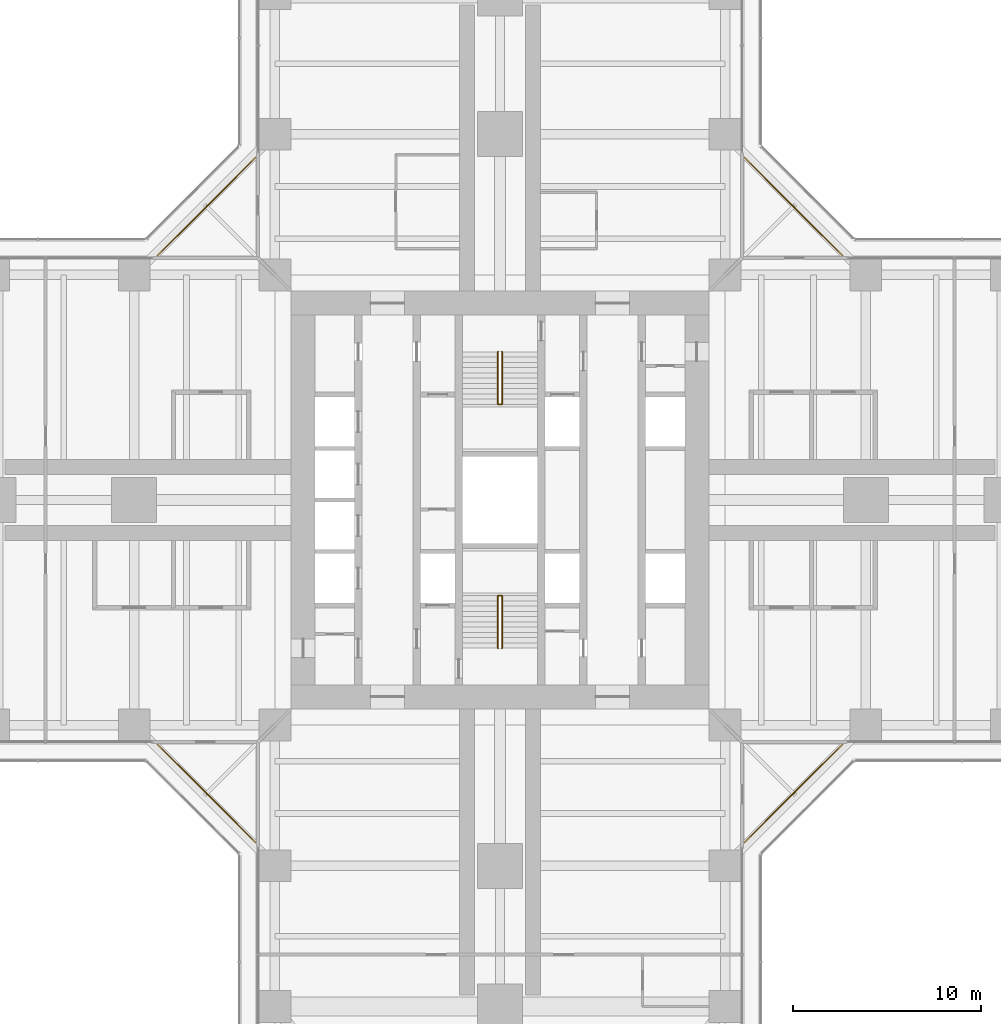
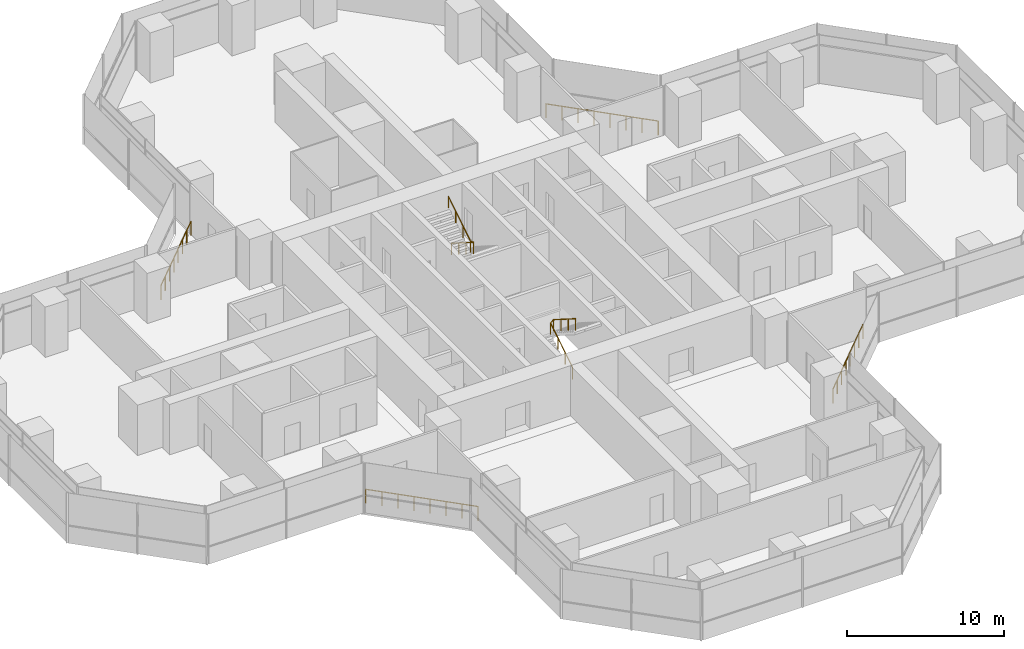
# One storey, part 22 of 22: 6 railings.
"""IFC4 building model written with IfcOpenShell, lengths in metres."""

from ifc_helpers import new_model, si_unit, direction, frame, origin, origin_2d, place, context, subcontext, project, spatial, circle, extrude, material, type_object, element, save


model = new_model("IFC4")

# Units and contexts
model_context = context("Model", 3, precision=1e-05, world=origin(), true_north=direction((0.0, 1.0)))
body_context = subcontext(model_context, "Body", "Model", "MODEL_VIEW")
ifc_project = project(units=[si_unit("LENGTHUNIT", "METRE"), si_unit("AREAUNIT", "SQUARE_METRE"), si_unit("VOLUMEUNIT", "CUBIC_METRE"), si_unit("PLANEANGLEUNIT", "RADIAN"), si_unit("MASSUNIT", "GRAM", prefix="KILO")], contexts=[model_context])

# Site, building, storey
site_placement = place(None, origin())
site = spatial("IfcSite", under=ifc_project, at=site_placement, CompositionType="ELEMENT")
building_placement = place(site_placement, origin())
building = spatial("IfcBuilding", under=site, at=building_placement, Name="Mizan Broadcast Tower", CompositionType="ELEMENT")
storey_placement = place(building_placement, frame((0.0, 0.0, 59.10009765625)))
storey = spatial("IfcBuildingStorey", under=building, at=storey_placement, Name="L11", CompositionType="ELEMENT", Elevation=59.10009765625)

# Railings
ifc_material_1 = material(Name="Stainless steel and glass guard", Category="steel")
railing_type_1 = type_object("IfcRailingType", Name="GUARD 1100", PredefinedType="GUARDRAIL", material=ifc_material_1)
railing_1_placement = place(storey_placement, frame((18.2578125, 13.030029296875, 0.0)))
element("IfcRailing", 1, at=railing_1_placement, inside=storey, type_object=railing_type_1, Name="Winter garden guard L11 E", PredefinedType="GUARDRAIL", context=body_context, shape_type="SweptSolid", body=[
    extrude(circle(Radius=0.02392578125, at=origin_2d()), frame((0.0, 0.0, 1.076171875), z_axis=(-0.707106781187, 0.707106781187, 0.0), x_axis=(-0.707106781187, -0.707106781187, 0.0)), (0.0, 0.0, 1.0), 7.393310546875),
    extrude(circle(Radius=0.02099609375, at=origin_2d()), origin(), (0.0, 0.0, 1.0), 1.052001953125),
    extrude(circle(Radius=0.02099609375, at=origin_2d()), frame((-0.746826171875, 0.746826171875, 0.0)), (0.0, 0.0, 1.0), 1.052001953125),
    extrude(circle(Radius=0.02099609375, at=origin_2d()), frame((-1.49365234375, 1.49365234375, 0.0)), (0.0, 0.0, 1.0), 1.052001953125),
    extrude(circle(Radius=0.02099609375, at=origin_2d()), frame((-2.240478515625, 2.240478515625, 0.0)), (0.0, 0.0, 1.0), 1.052001953125),
    extrude(circle(Radius=0.02099609375, at=origin_2d()), frame((-2.9873046875, 2.9873046875, 0.0)), (0.0, 0.0, 1.0), 1.052001953125),
    extrude(circle(Radius=0.02099609375, at=origin_2d()), frame((-3.734130859375, 3.734130859375, 0.0)), (0.0, 0.0, 1.0), 1.052001953125),
    extrude(circle(Radius=0.02099609375, at=origin_2d()), frame((-4.48095703125, 4.48095703125, 0.0)), (0.0, 0.0, 1.0), 1.052001953125),
    extrude(circle(Radius=0.02099609375, at=origin_2d()), frame((-5.227783203125, 5.227783203125, 0.0)), (0.0, 0.0, 1.0), 1.052001953125),
])
railing_2_placement = place(storey_placement, frame((-13.030029296875, 18.2578125, 0.0)))
element("IfcRailing", 2, at=railing_2_placement, inside=storey, type_object=railing_type_1, Name="Winter garden guard L11 N", PredefinedType="GUARDRAIL", context=body_context, shape_type="SweptSolid", body=[
    extrude(circle(Radius=0.02392578125, at=origin_2d()), frame((0.0, 0.0, 1.076171875), z_axis=(-0.707106781187, -0.707106781187, 0.0), x_axis=(0.707106781187, -0.707106781187, 0.0)), (0.0, 0.0, 1.0), 7.393310546875),
    extrude(circle(Radius=0.02099609375, at=origin_2d()), origin(), (0.0, 0.0, 1.0), 1.052001953125),
    extrude(circle(Radius=0.02099609375, at=origin_2d()), frame((-0.746826171875, -0.746826171875, 0.0)), (0.0, 0.0, 1.0), 1.052001953125),
    extrude(circle(Radius=0.02099609375, at=origin_2d()), frame((-1.49365234375, -1.49365234375, 0.0)), (0.0, 0.0, 1.0), 1.052001953125),
    extrude(circle(Radius=0.02099609375, at=origin_2d()), frame((-2.240478515625, -2.240478515625, 0.0)), (0.0, 0.0, 1.0), 1.052001953125),
    extrude(circle(Radius=0.02099609375, at=origin_2d()), frame((-2.9873046875, -2.9873046875, 0.0)), (0.0, 0.0, 1.0), 1.052001953125),
    extrude(circle(Radius=0.02099609375, at=origin_2d()), frame((-3.734130859375, -3.734130859375, 0.0)), (0.0, 0.0, 1.0), 1.052001953125),
    extrude(circle(Radius=0.02099609375, at=origin_2d()), frame((-4.48095703125, -4.48095703125, 0.0)), (0.0, 0.0, 1.0), 1.052001953125),
    extrude(circle(Radius=0.02099609375, at=origin_2d()), frame((-5.227783203125, -5.227783203125, 0.0)), (0.0, 0.0, 1.0), 1.052001953125),
])
railing_3_placement = place(storey_placement, frame((-18.2578125, -13.030029296875, 0.0)))
element("IfcRailing", 3, at=railing_3_placement, inside=storey, type_object=railing_type_1, Name="Winter garden guard L11 W", PredefinedType="GUARDRAIL", context=body_context, shape_type="SweptSolid", body=[
    extrude(circle(Radius=0.02392578125, at=origin_2d()), frame((0.0, 0.0, 1.076171875), z_axis=(0.707106781187, -0.707106781187, 0.0), x_axis=(0.707106781187, 0.707106781187, 0.0)), (0.0, 0.0, 1.0), 7.393310546875),
    extrude(circle(Radius=0.02099609375, at=origin_2d()), origin(), (0.0, 0.0, 1.0), 1.052001953125),
    extrude(circle(Radius=0.02099609375, at=origin_2d()), frame((0.746826171875, -0.746826171875, 0.0)), (0.0, 0.0, 1.0), 1.052001953125),
    extrude(circle(Radius=0.02099609375, at=origin_2d()), frame((1.49365234375, -1.49365234375, 0.0)), (0.0, 0.0, 1.0), 1.052001953125),
    extrude(circle(Radius=0.02099609375, at=origin_2d()), frame((2.240478515625, -2.240478515625, 0.0)), (0.0, 0.0, 1.0), 1.052001953125),
    extrude(circle(Radius=0.02099609375, at=origin_2d()), frame((2.9873046875, -2.9873046875, 0.0)), (0.0, 0.0, 1.0), 1.052001953125),
    extrude(circle(Radius=0.02099609375, at=origin_2d()), frame((3.734130859375, -3.734130859375, 0.0)), (0.0, 0.0, 1.0), 1.052001953125),
    extrude(circle(Radius=0.02099609375, at=origin_2d()), frame((4.48095703125, -4.48095703125, 0.0)), (0.0, 0.0, 1.0), 1.052001953125),
    extrude(circle(Radius=0.02099609375, at=origin_2d()), frame((5.227783203125, -5.227783203125, 0.0)), (0.0, 0.0, 1.0), 1.052001953125),
])
railing_4_placement = place(storey_placement, frame((13.030029296875, -18.2578125, 0.0)))
element("IfcRailing", 4, at=railing_4_placement, inside=storey, type_object=railing_type_1, Name="Winter garden guard L11 S", PredefinedType="GUARDRAIL", context=body_context, shape_type="SweptSolid", body=[
    extrude(circle(Radius=0.02392578125, at=origin_2d()), frame((0.0, 0.0, 1.076171875), z_axis=(0.707106781187, 0.707106781187, 0.0), x_axis=(-0.707106781187, 0.707106781187, 0.0)), (0.0, 0.0, 1.0), 7.393310546875),
    extrude(circle(Radius=0.02099609375, at=origin_2d()), origin(), (0.0, 0.0, 1.0), 1.052001953125),
    extrude(circle(Radius=0.02099609375, at=origin_2d()), frame((0.746826171875, 0.746826171875, 0.0)), (0.0, 0.0, 1.0), 1.052001953125),
    extrude(circle(Radius=0.02099609375, at=origin_2d()), frame((1.49365234375, 1.49365234375, 0.0)), (0.0, 0.0, 1.0), 1.052001953125),
    extrude(circle(Radius=0.02099609375, at=origin_2d()), frame((2.240478515625, 2.240478515625, 0.0)), (0.0, 0.0, 1.0), 1.052001953125),
    extrude(circle(Radius=0.02099609375, at=origin_2d()), frame((2.9873046875, 2.9873046875, 0.0)), (0.0, 0.0, 1.0), 1.052001953125),
    extrude(circle(Radius=0.02099609375, at=origin_2d()), frame((3.734130859375, 3.734130859375, 0.0)), (0.0, 0.0, 1.0), 1.052001953125),
    extrude(circle(Radius=0.02099609375, at=origin_2d()), frame((4.48095703125, 4.48095703125, 0.0)), (0.0, 0.0, 1.0), 1.052001953125),
    extrude(circle(Radius=0.02099609375, at=origin_2d()), frame((5.227783203125, 5.227783203125, 0.0)), (0.0, 0.0, 1.0), 1.052001953125),
])
ifc_material_2 = material(Name="Stainless steel", Category="steel")
railing_type_2 = type_object("IfcRailingType", Name="HANDRAIL 50", PredefinedType="HANDRAIL", material=ifc_material_2)
railing_5_placement = place(storey_placement, frame((-0.110107421875, -7.89990234375, 0.17724609375)))
element("IfcRailing", 5, at=railing_5_placement, inside=storey, type_object=railing_type_2, Name="Stair A handrail", PredefinedType="HANDRAIL", context=body_context, shape_type="SweptSolid", body=[
    extrude(circle(Radius=0.02392578125, at=origin_2d()), frame((0.0, 0.0, 0.8759765625), z_axis=(0.0, 0.844887892834, 0.53494340686), x_axis=(-1.0, 0.0, 0.0)), (0.0, 0.0, 1.0), 3.313720703125),
    extrude(circle(Radius=0.02392578125, at=origin_2d()), frame((0.0, 2.7998046875, 2.6484375), z_axis=(0.779011685263, 0.0, 0.627009405212), x_axis=(0.0, 1.0, 0.0)), (0.0, 0.0, 1.0), 0.28271484375),
    extrude(circle(Radius=0.02392578125, at=origin_2d()), frame((0.22021484375, 2.7998046875, 2.82568359375), z_axis=(0.0, -0.844887892834, 0.53494340686), x_axis=(1.0, 0.0, 0.0)), (0.0, 0.0, 1.0), 3.313720703125),
    extrude(circle(Radius=0.02099609375, at=origin_2d()), origin(), (0.0, 0.0, 1.0), 0.851806640625),
    extrude(circle(Radius=0.02099609375, at=origin_2d()), frame((0.0, 0.933349609375, 0.5908203125)), (0.0, 0.0, 1.0), 0.851806640625),
    extrude(circle(Radius=0.02099609375, at=origin_2d()), frame((0.0, 1.866455078125, 1.181884765625)), (0.0, 0.0, 1.0), 0.851806640625),
    extrude(circle(Radius=0.02099609375, at=origin_2d()), frame((0.0, 2.7998046875, 1.772705078125)), (0.0, 0.0, 1.0), 0.851806640625),
    extrude(circle(Radius=0.02099609375, at=origin_2d()), frame((0.22021484375, 2.7998046875, 1.949951171875)), (0.0, 0.0, 1.0), 0.851806640625),
    extrude(circle(Radius=0.02099609375, at=origin_2d()), frame((0.22021484375, 1.866455078125, 2.540771484375)), (0.0, 0.0, 1.0), 0.851806640625),
    extrude(circle(Radius=0.02099609375, at=origin_2d()), frame((0.22021484375, 0.933349609375, 3.1318359375)), (0.0, 0.0, 1.0), 0.851806640625),
    extrude(circle(Radius=0.02099609375, at=origin_2d()), frame((0.22021484375, 0.0, 3.72265625)), (0.0, 0.0, 1.0), 0.851806640625),
])
railing_6_placement = place(storey_placement, frame((0.110107421875, 7.89990234375, 0.17724609375)))
element("IfcRailing", 6, at=railing_6_placement, inside=storey, type_object=railing_type_2, Name="Stair B handrail", PredefinedType="HANDRAIL", context=body_context, shape_type="SweptSolid", body=[
    extrude(circle(Radius=0.02392578125, at=origin_2d()), frame((0.0, 0.0, 0.8759765625), z_axis=(0.0, -0.844887892834, 0.53494340686), x_axis=(1.0, 0.0, 0.0)), (0.0, 0.0, 1.0), 3.313720703125),
    extrude(circle(Radius=0.02392578125, at=origin_2d()), frame((0.0, -2.7998046875, 2.6484375), z_axis=(-0.779011685263, 0.0, 0.627009405212), x_axis=(0.0, -1.0, 0.0)), (0.0, 0.0, 1.0), 0.28271484375),
    extrude(circle(Radius=0.02392578125, at=origin_2d()), frame((-0.22021484375, -2.7998046875, 2.82568359375), z_axis=(0.0, 0.844887892834, 0.53494340686), x_axis=(-1.0, 0.0, 0.0)), (0.0, 0.0, 1.0), 3.313720703125),
    extrude(circle(Radius=0.02099609375, at=origin_2d()), origin(), (0.0, 0.0, 1.0), 0.851806640625),
    extrude(circle(Radius=0.02099609375, at=origin_2d()), frame((0.0, -0.933349609375, 0.5908203125)), (0.0, 0.0, 1.0), 0.851806640625),
    extrude(circle(Radius=0.02099609375, at=origin_2d()), frame((0.0, -1.866455078125, 1.181884765625)), (0.0, 0.0, 1.0), 0.851806640625),
    extrude(circle(Radius=0.02099609375, at=origin_2d()), frame((0.0, -2.7998046875, 1.772705078125)), (0.0, 0.0, 1.0), 0.851806640625),
    extrude(circle(Radius=0.02099609375, at=origin_2d()), frame((-0.22021484375, -2.7998046875, 1.949951171875)), (0.0, 0.0, 1.0), 0.851806640625),
    extrude(circle(Radius=0.02099609375, at=origin_2d()), frame((-0.22021484375, -1.866455078125, 2.540771484375)), (0.0, 0.0, 1.0), 0.851806640625),
    extrude(circle(Radius=0.02099609375, at=origin_2d()), frame((-0.22021484375, -0.933349609375, 3.1318359375)), (0.0, 0.0, 1.0), 0.851806640625),
    extrude(circle(Radius=0.02099609375, at=origin_2d()), frame((-0.22021484375, 0.0, 3.72265625)), (0.0, 0.0, 1.0), 0.851806640625),
])

save(model, "model.ifc")
